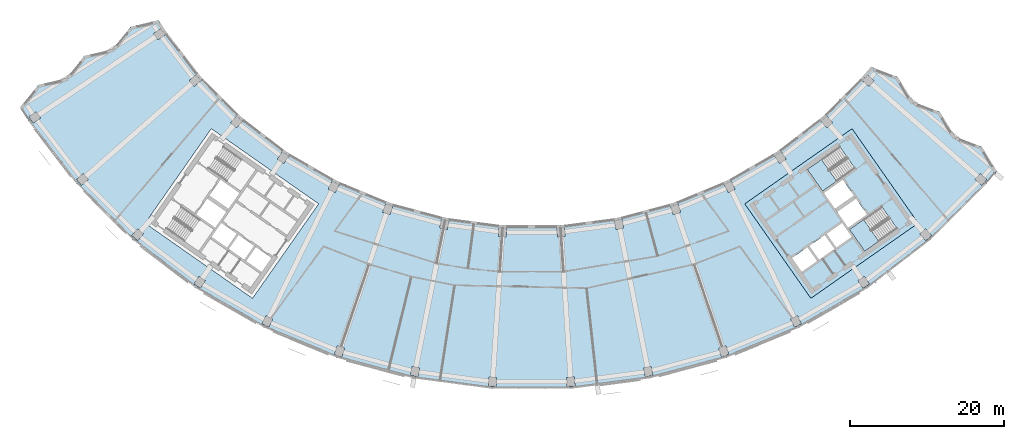
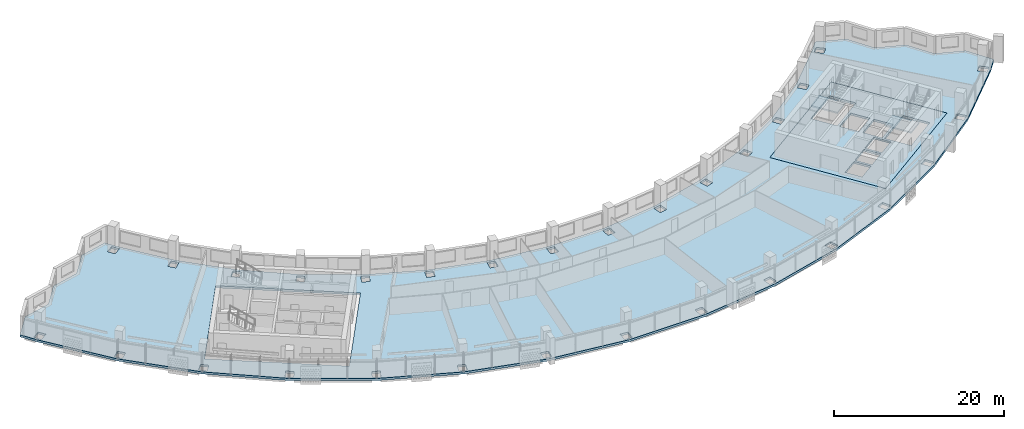
# One storey, part 2 of 28: 4 slabs, 2 elements without a shape of their own.
"""IFC4 building model written with IfcOpenShell, lengths in metres."""

from ifc_helpers import new_model, si_unit, direction, frame, origin, place, context, subcontext, project, spatial, polyline, outline, extrude, material, layer, layer_set, type_object, element, aggregate, save


model = new_model("IFC4")

# Units and contexts
model_context = context("Model", 3, precision=1e-05, world=origin(), true_north=direction((0.0, 1.0)))
body_context = subcontext(model_context, "Body", "Model", "MODEL_VIEW")
ifc_project = project(units=[si_unit("LENGTHUNIT", "METRE"), si_unit("AREAUNIT", "SQUARE_METRE"), si_unit("VOLUMEUNIT", "CUBIC_METRE"), si_unit("PLANEANGLEUNIT", "RADIAN"), si_unit("MASSUNIT", "GRAM", prefix="KILO")], contexts=[model_context])

# Site, building, storey
site_placement = place(None, origin())
site = spatial("IfcSite", under=ifc_project, at=site_placement, CompositionType="ELEMENT")
building_placement = place(site_placement, origin())
building = spatial("IfcBuilding", under=site, at=building_placement, Name="Qamariyya Broadcast Tower", CompositionType="ELEMENT")
storey_placement = place(building_placement, frame((0.0, 0.0, 215.10009765625)))
storey = spatial("IfcBuildingStorey", under=building, at=storey_placement, Name="L51", CompositionType="ELEMENT", Elevation=215.10009765625)

# Slabs
ifc_material_1 = material(Name="Concrete C40/50", Category="concrete")
ifc_layer_1 = layer(ifc_material_1, 0.300048828125)
ifc_layer_set_1 = layer_set([ifc_layer_1], Name="Core floor slab 300 mm Concrete C40/50")
slab_type_1 = type_object("IfcSlabType", Name="Core floor slab 300 mm Concrete C40/50", PredefinedType="FLOOR", material=ifc_layer_set_1)
slab_1_placement = place(storey_placement, frame((0.0, 0.0, -0.300048828125)))
element("IfcSlab", 1, at=slab_1_placement, inside=storey, type_object=slab_type_1, Name="k-E-L51-slab", PredefinedType="FLOOR", context=body_context, shape_type="SweptSolid", body=[
    extrude(outline(polyline([(36.32373046875, -66.734375), (50.286376953125, -56.95751953125), (41.6826171875, -44.67041015625), (27.719970703125, -54.447021484375), (36.32373046875, -66.734375)]), holes=[polyline([(33.87353515625, -61.49169921875), (35.88037109375, -60.08642578125), (37.142333984375, -61.888427734375), (35.13525390625, -63.293701171875), (33.87353515625, -61.49169921875)]), polyline([(36.126220703125, -59.914306640625), (38.133056640625, -58.509033203125), (39.394775390625, -60.311279296875), (37.387939453125, -61.716552734375), (36.126220703125, -59.914306640625)]), polyline([(38.378662109375, -58.3369140625), (40.3857421875, -56.931640625), (41.6474609375, -58.73388671875), (39.640625, -60.13916015625), (38.378662109375, -58.3369140625)]), polyline([(39.742431640625, -55.489990234375), (42.199951171875, -53.769287109375), (43.6337890625, -55.817138671875), (41.17626953125, -57.537841796875), (39.742431640625, -55.489990234375)]), polyline([(39.45556640625, -55.080322265625), (41.9130859375, -53.359619140625), (40.47900390625, -51.311767578125), (38.021728515625, -53.032470703125), (39.45556640625, -55.080322265625)]), polyline([(40.082275390625, -47.01171875), (35.870849609375, -49.960693359375), (37.849609375, -52.78662109375), (42.06103515625, -49.837890625), (40.082275390625, -47.01171875)]), polyline([(45.559814453125, -54.834716796875), (41.348388671875, -57.783447265625), (43.3271484375, -60.609619140625), (47.538818359375, -57.66064453125), (45.559814453125, -54.834716796875)])]), origin(), (0.0, 0.0, 1.0), 0.300048828125),
])
ifc_layer_2 = layer(ifc_material_1, 0.300048828125)
ifc_layer_set_2 = layer_set([ifc_layer_2], Name="Post-tensioned floor slab 300 C40/50")
slab_type_2 = type_object("IfcSlabType", Name="Post-tensioned floor slab 300 C40/50", PredefinedType="FLOOR", material=ifc_layer_set_2)
slab_2_placement = place(storey_placement, frame((0.0, 0.0, -0.300048828125)))
element("IfcSlab", 2, at=slab_2_placement, inside=storey, type_object=slab_type_2, Name="Floor slab S4 L51", PredefinedType="FLOOR", context=body_context, shape_type="SweptSolid", body=[
    extrude(outline(polyline([(-64.2001953125, -38.9658203125), (-66.574462890625, -41.876953125), (-65.39501953125, -43.695556640625), (-59.132080078125, -51.857666015625), (-51.857666015625, -59.132080078125), (-43.695556640625, -65.39501953125), (-34.785888671875, -70.5390625), (-25.28125, -74.47607421875), (-15.34375, -77.138671875), (-5.14404296875, -78.481689453125), (5.14404296875, -78.481689453125), (15.34375, -77.138671875), (25.28125, -74.47607421875), (34.785888671875, -70.5390625), (43.695556640625, -65.39501953125), (51.857666015625, -59.132080078125), (59.132080078125, -51.857666015625), (60.538818359375, -50.208251953125), (58.56494140625, -47.01220703125), (55.07373046875, -45.67578125), (53.09912109375, -42.479248046875), (49.608642578125, -41.143310546875), (47.633056640625, -37.946044921875), (44.143798828125, -36.61083984375), (43.117919921875, -37.8134765625), (37.8134765625, -43.117919921875), (31.862060546875, -47.684814453125), (25.365234375, -51.435546875), (18.4345703125, -54.306396484375), (11.1884765625, -56.248046875), (3.7509765625, -57.227294921875), (-3.7509765625, -57.227294921875), (-11.1884765625, -56.248046875), (-18.4345703125, -54.306396484375), (-25.365234375, -51.435546875), (-31.862060546875, -47.684814453125), (-37.8134765625, -43.117919921875), (-43.117919921875, -37.8134765625), (-47.684814453125, -31.862060546875), (-48.544677734375, -30.53564453125), (-52.178466796875, -31.404052734375), (-54.5546875, -34.316162109375), (-58.189453125, -35.18505859375), (-60.564453125, -38.096435546875), (-64.2001953125, -38.9658203125)]), holes=[polyline([(-5.62158203125, -78.12451171875), (-5.54638671875, -76.97705078125), (-4.548583984375, -77.04248046875), (-4.623779296875, -78.18994140625), (-5.62158203125, -78.12451171875)]), polyline([(-15.770751953125, -76.722412109375), (-15.54638671875, -75.594482421875), (-14.565673828125, -75.78955078125), (-14.7900390625, -76.91748046875), (-15.770751953125, -76.722412109375)]), polyline([(-25.650146484375, -74.007568359375), (-25.280517578125, -72.918701171875), (-24.333740234375, -73.239990234375), (-24.703369140625, -74.3291015625), (-25.650146484375, -74.007568359375)]), polyline([(-35.090576171875, -70.0263671875), (-34.58203125, -68.9951171875), (-33.685302734375, -69.437255859375), (-34.19384765625, -70.46875), (-35.090576171875, -70.0263671875)]), polyline([(-43.9306640625, -64.84716796875), (-43.291748046875, -63.890869140625), (-42.46044921875, -64.446533203125), (-43.099365234375, -65.402587890625), (-43.9306640625, -64.84716796875)]), polyline([(-52.019287109375, -58.55810546875), (-51.260986328125, -57.693603515625), (-50.509033203125, -58.35302734375), (-51.267333984375, -59.217529296875), (-52.019287109375, -58.55810546875)]), polyline([(-11.966552734375, -57.59716796875), (-11.7421875, -56.46923828125), (-10.761474609375, -56.664306640625), (-10.98583984375, -57.792236328125), (-11.966552734375, -57.59716796875)]), polyline([(-50.286376953125, -56.95751953125), (-41.6826171875, -44.67041015625), (-27.719970703125, -54.447021484375), (-36.32373046875, -66.734375), (-50.286376953125, -56.95751953125)]), polyline([(-19.382080078125, -55.54248046875), (-19.012451171875, -54.453369140625), (-18.065673828125, -54.77490234375), (-18.435302734375, -55.86376953125), (-19.382080078125, -55.54248046875)]), polyline([(-26.466064453125, -52.537353515625), (-25.95751953125, -51.506103515625), (-25.060546875, -51.9482421875), (-25.569091796875, -52.979736328125), (-26.466064453125, -52.537353515625)]), polyline([(-59.217529296875, -51.267333984375), (-58.35302734375, -50.509033203125), (-57.693603515625, -51.260986328125), (-58.55810546875, -52.019287109375), (-59.217529296875, -51.267333984375)]), polyline([(-33.09716796875, -48.63330078125), (-32.458251953125, -47.67724609375), (-31.626708984375, -48.23291015625), (-32.265625, -49.18896484375), (-33.09716796875, -48.63330078125)]), polyline([(-39.161865234375, -43.897216796875), (-38.40380859375, -43.03271484375), (-37.65185546875, -43.692138671875), (-38.41015625, -44.556640625), (-39.161865234375, -43.897216796875)]), polyline([(-65.402587890625, -43.099365234375), (-64.446533203125, -42.46044921875), (-63.890869140625, -43.291748046875), (-64.84716796875, -43.9306640625), (-65.402587890625, -43.099365234375)]), polyline([(-44.556640625, -38.41015625), (-43.692138671875, -37.65185546875), (-43.03271484375, -38.40380859375), (-43.897216796875, -39.161865234375), (-44.556640625, -38.41015625)]), polyline([(-49.18896484375, -32.265625), (-48.23291015625, -31.626708984375), (-47.67724609375, -32.458251953125), (-48.63330078125, -33.09716796875), (-49.18896484375, -32.265625)]), polyline([(4.623779296875, -78.18994140625), (4.548583984375, -77.04248046875), (5.54638671875, -76.97705078125), (5.62158203125, -78.12451171875), (4.623779296875, -78.18994140625)]), polyline([(14.7900390625, -76.91748046875), (14.565673828125, -75.78955078125), (15.54638671875, -75.594482421875), (15.770751953125, -76.722412109375), (14.7900390625, -76.91748046875)]), polyline([(24.703369140625, -74.3291015625), (24.333740234375, -73.239990234375), (25.280517578125, -72.918701171875), (25.650146484375, -74.007568359375), (24.703369140625, -74.3291015625)]), polyline([(34.19384765625, -70.46875), (33.685302734375, -69.437255859375), (34.58203125, -68.9951171875), (35.090576171875, -70.0263671875), (34.19384765625, -70.46875)]), polyline([(43.099365234375, -65.402587890625), (42.46044921875, -64.446533203125), (43.291748046875, -63.890869140625), (43.9306640625, -64.84716796875), (43.099365234375, -65.402587890625)]), polyline([(51.267333984375, -59.217529296875), (50.509033203125, -58.35302734375), (51.260986328125, -57.693603515625), (52.019287109375, -58.55810546875), (51.267333984375, -59.217529296875)]), polyline([(-4.34619140625, -58.666259765625), (-4.27099609375, -57.518798828125), (-3.273193359375, -57.584228515625), (-3.348388671875, -58.731689453125), (-4.34619140625, -58.666259765625)]), polyline([(3.348388671875, -58.731689453125), (3.273193359375, -57.584228515625), (4.27099609375, -57.518798828125), (4.34619140625, -58.666259765625), (3.348388671875, -58.731689453125)]), polyline([(10.98583984375, -57.792236328125), (10.761474609375, -56.664306640625), (11.7421875, -56.46923828125), (11.966552734375, -57.59716796875), (10.98583984375, -57.792236328125)]), polyline([(36.32373046875, -66.734375), (27.719970703125, -54.447021484375), (41.6826171875, -44.67041015625), (50.286376953125, -56.95751953125), (36.32373046875, -66.734375)]), polyline([(18.435302734375, -55.86376953125), (18.065673828125, -54.77490234375), (19.012451171875, -54.453369140625), (19.382080078125, -55.54248046875), (18.435302734375, -55.86376953125)]), polyline([(25.569091796875, -52.979736328125), (25.060546875, -51.9482421875), (25.95751953125, -51.506103515625), (26.466064453125, -52.537353515625), (25.569091796875, -52.979736328125)]), polyline([(58.55810546875, -52.019287109375), (57.693603515625, -51.260986328125), (58.35302734375, -50.509033203125), (59.217529296875, -51.267333984375), (58.55810546875, -52.019287109375)]), polyline([(32.265625, -49.18896484375), (31.626708984375, -48.23291015625), (32.458251953125, -47.67724609375), (33.09716796875, -48.63330078125), (32.265625, -49.18896484375)]), polyline([(38.41015625, -44.556640625), (37.65185546875, -43.692138671875), (38.40380859375, -43.03271484375), (39.161865234375, -43.897216796875), (38.41015625, -44.556640625)]), polyline([(43.897216796875, -39.161865234375), (43.03271484375, -38.40380859375), (43.692138671875, -37.65185546875), (44.556640625, -38.41015625), (43.897216796875, -39.161865234375)])]), origin(), (0.0, 0.0, 1.0), 0.300048828125),
])

# Stair, slab
ifc_material_2 = material(Name="Concrete C50/60", Category="concrete")
stair_type = type_object("IfcStairType", Name="Exit stair 22 risers of 173 mm", PredefinedType="HALF_TURN_STAIR", material=ifc_material_2)
stair_1_placement = place(storey_placement, origin())
stair_1 = element("IfcStair", 3, at=stair_1_placement, inside=storey, type_object=stair_type, Name="L51 Stair E2", PredefinedType="HALF_TURN_STAIR")
ifc_layer_3 = layer(ifc_material_2, 0.199951171875)
ifc_layer_set_3 = layer_set([ifc_layer_3], Name="Stair landing")
slab_type_3 = type_object("IfcSlabType", Name="Stair landing", PredefinedType="LANDING", material=ifc_layer_set_3)
slab_3_placement = place(storey_placement, frame((0.0, 0.0, 1.699951171875)))
slab_3 = element("IfcSlab", 4, at=slab_3_placement, type_object=slab_type_3, Name="ST-E2 landing 1", PredefinedType="LANDING", context=body_context, shape_type="SweptSolid", body=[
    extrude(outline(polyline([(37.71337890625, -48.67041015625), (35.870849609375, -49.960693359375), (37.849609375, -52.78662109375), (39.692138671875, -51.49658203125), (37.71337890625, -48.67041015625)])), origin(), (0.0, 0.0, 1.0), 0.199951171875),
])
aggregate(stair_1, [slab_3])

stair_2_placement = place(storey_placement, origin())
stair_2 = element("IfcStair", 5, at=stair_2_placement, inside=storey, type_object=stair_type, Name="L51 Stair E1", PredefinedType="HALF_TURN_STAIR")
slab_4_placement = place(storey_placement, frame((0.0, 0.0, 1.699951171875)))
slab_4 = element("IfcSlab", 6, at=slab_4_placement, type_object=slab_type_3, Name="ST-E1 landing 1", PredefinedType="LANDING", context=body_context, shape_type="SweptSolid", body=[
    extrude(outline(polyline([(43.19091796875, -56.493408203125), (41.348388671875, -57.783447265625), (43.3271484375, -60.609619140625), (45.169677734375, -59.319580078125), (43.19091796875, -56.493408203125)])), origin(), (0.0, 0.0, 1.0), 0.199951171875),
])
aggregate(stair_2, [slab_4])

save(model, "model.ifc")
